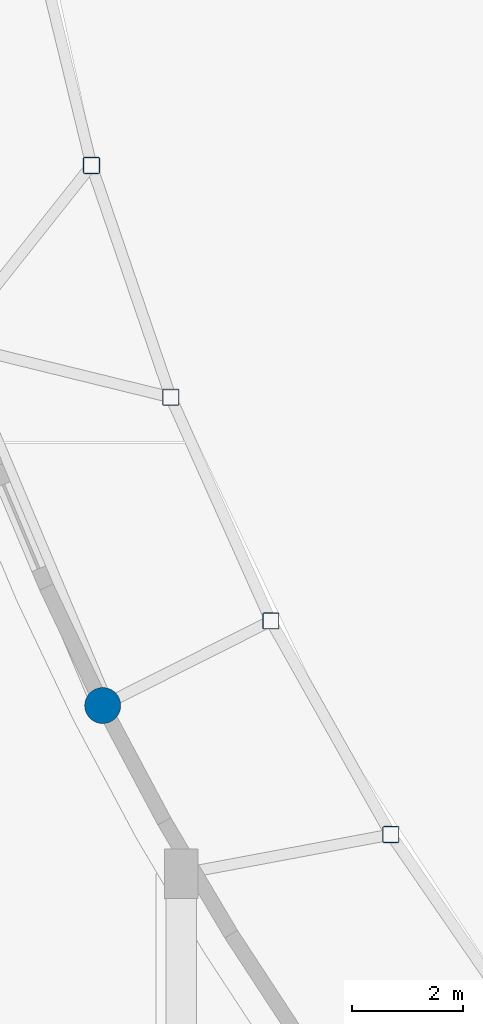
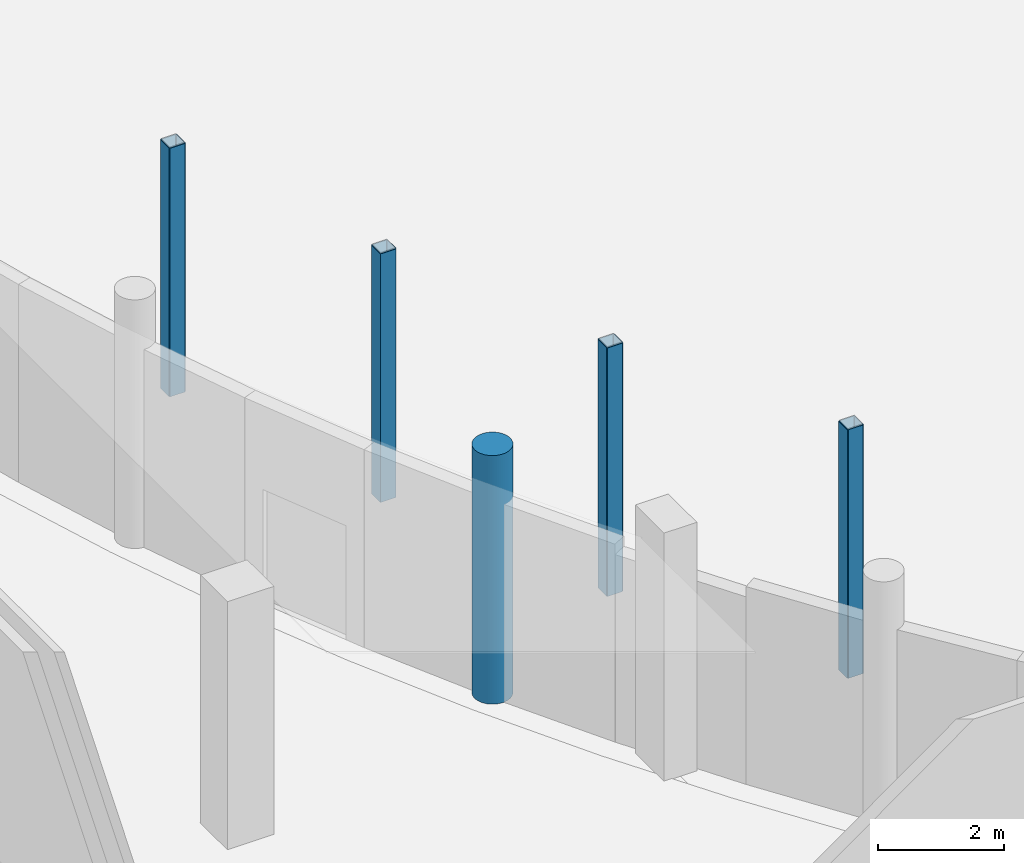
# One storey, part 4 of 97: 5 columns.
"""IFC4 building model written with IfcOpenShell, lengths in metres."""

from ifc_helpers import new_model, si_unit, direction, frame, origin, origin_2d, place, context, subcontext, project, spatial, hollow_rectangle, circle, extrude, material, material_profile, profile_set, type_object, element, save


model = new_model("IFC4")

# Units and contexts
model_context = context("Model", 3, precision=1e-05, world=origin(), true_north=direction((0.0, 1.0)))
body_context = subcontext(model_context, "Body", "Model", "MODEL_VIEW")
ifc_project = project(units=[si_unit("LENGTHUNIT", "METRE"), si_unit("AREAUNIT", "SQUARE_METRE"), si_unit("VOLUMEUNIT", "CUBIC_METRE"), si_unit("PLANEANGLEUNIT", "RADIAN"), si_unit("MASSUNIT", "GRAM", prefix="KILO")], contexts=[model_context])

# Site, building, storey
site_placement = place(None, origin())
site = spatial("IfcSite", under=ifc_project, at=site_placement, CompositionType="ELEMENT")
building_placement = place(site_placement, origin())
building = spatial("IfcBuilding", under=site, at=building_placement, Name="Kisaragi Civic Commons", CompositionType="ELEMENT")
storey_placement = place(building_placement, origin())
storey = spatial("IfcBuildingStorey", under=building, at=storey_placement, Name="L00", CompositionType="ELEMENT", Elevation=0.0)

# Columns
ifc_material_1 = material(Name="Concrete Fc30", Category="concrete")
ifc_material_profile_1 = material_profile(ifc_material_1, circle(Radius=0.324951171875, at=origin_2d()), Name="RC-D650", Category="concrete")
ifc_profile_set_1 = profile_set([ifc_material_profile_1], Name="Concrete Fc30")
column_type_1 = type_object("IfcColumnType", Name="C-12", PredefinedType="COLUMN", material=ifc_profile_set_1)
column_placement = place(storey_placement, frame((32.581787109375, 34.8505859375, 0.0), z_axis=(0.0, 0.0, 1.0), x_axis=(1.0, 0.0, 0.0)))
element("IfcColumn", 1, at=column_placement, inside=storey, type_object=column_type_1, Name="L00 column C-12 (32.6,34.9)", PredefinedType="COLUMN", context=body_context, shape_type="SweptSolid", body=[
    extrude(circle(Radius=0.324951171875, at=origin_2d()), origin(), (0.0, 0.0, 1.0), 4.800048828125),
])
ifc_material_2 = material(Name="Steel BCR295", Category="steel")
ifc_material_profile_2 = material_profile(ifc_material_2, hollow_rectangle(XDim=0.300048828125, YDim=0.300048828125, WallThickness=0.012939453125, InnerFilletRadius=0.012939453125, OuterFilletRadius=0.02587890625, at=origin_2d()), Name="BCR-300x300x13", Category="steel")
ifc_profile_set_2 = profile_set([ifc_material_profile_2], Name="Steel BCR295")
column_type_2 = type_object("IfcColumnType", Name="C-15", PredefinedType="COLUMN", material=ifc_profile_set_2)
for number, where, z_axis, x_axis, name in (
    (2, (32.379150390625, 44.6064453125, 0.0), (0.0, 0.0, 1.0), (1.0, 0.0, 0.0), "L00 column C-15 (32.4,44.6)"),
    (3, (33.8115234375, 40.4189453125, 0.0), (0.0, 0.0, 1.0), (1.0, 0.0, 0.0), "L00 column C-15 (33.8,40.4)"),
    (4, (35.618896484375, 36.37890625, 0.0), (0.0, 0.0, 1.0), (1.0, 0.0, 0.0), "L00 column C-15 (35.6,36.4)"),
    (5, (37.7861328125, 32.52001953125, 0.0), (0.0, 0.0, 1.0), (1.0, 0.0, 0.0), "L00 column C-15 (37.8,32.5)"),
):
    element("IfcColumn", number, at=place(storey_placement, frame(where, z_axis=z_axis, x_axis=x_axis)), inside=storey, type_object=column_type_2, Name=name, PredefinedType="COLUMN", context=body_context, shape_type="SweptSolid", body=[
        extrude(hollow_rectangle(XDim=0.300048828125, YDim=0.300048828125, WallThickness=0.012939453125, InnerFilletRadius=0.012939453125, OuterFilletRadius=0.02587890625, at=origin_2d()), origin(), (0.0, 0.0, 1.0), 4.800048828125),
    ])

save(model, "model.ifc")
